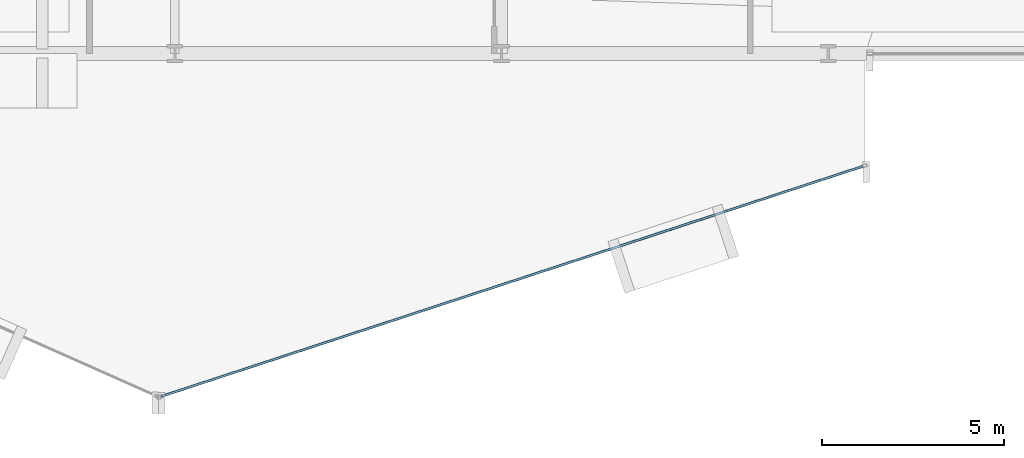
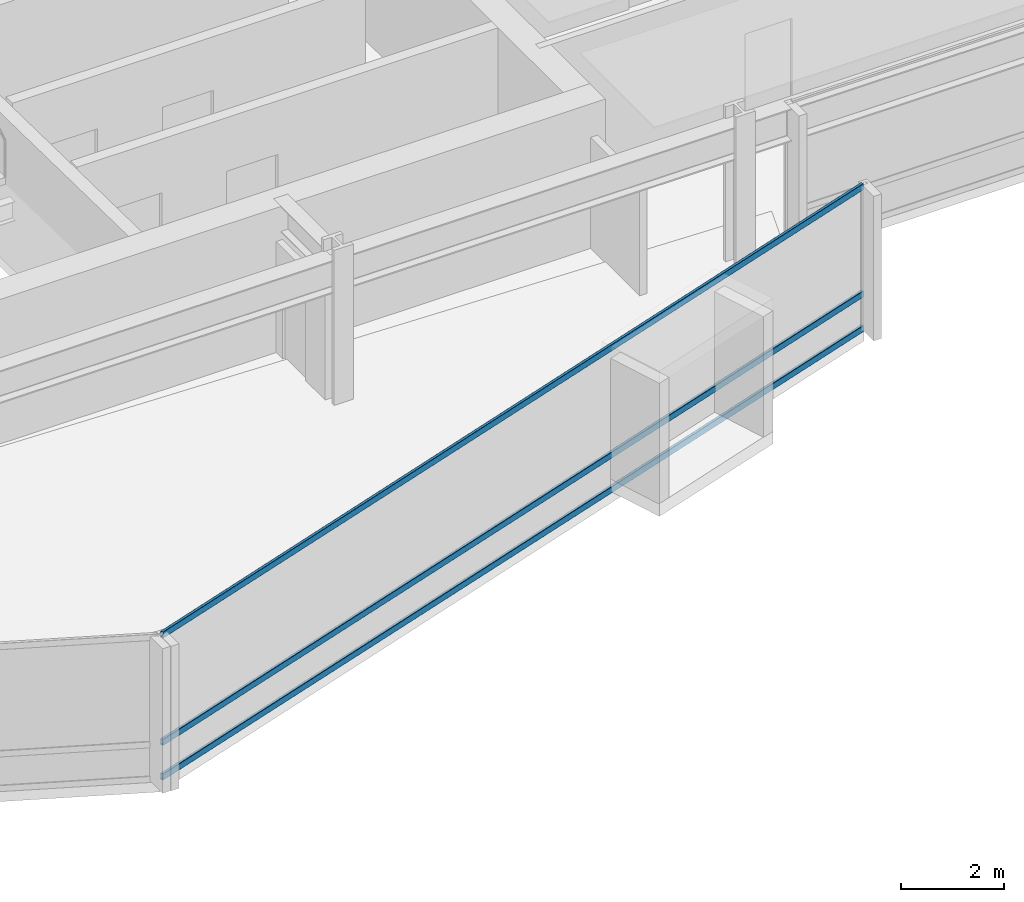
# One storey, part 9 of 34: 3 members, 1 element without a shape of its own.
"""IFC4 building model written with IfcOpenShell, lengths in metres."""

from ifc_helpers import new_model, si_unit, direction, frame, origin, origin_2d, place, context, subcontext, project, spatial, hollow_rectangle, extrude, material, layer, layer_set, material_profile, profile_set, type_object, element, aggregate, save


model = new_model("IFC4")

# Units and contexts
model_context = context("Model", 3, precision=1e-05, world=origin(), true_north=direction((0.0, 1.0)))
body_context = subcontext(model_context, "Body", "Model", "MODEL_VIEW")
ifc_project = project(units=[si_unit("LENGTHUNIT", "METRE"), si_unit("AREAUNIT", "SQUARE_METRE"), si_unit("VOLUMEUNIT", "CUBIC_METRE"), si_unit("PLANEANGLEUNIT", "RADIAN"), si_unit("MASSUNIT", "GRAM", prefix="KILO")], contexts=[model_context])

# Site, building, storey
site_placement = place(None, origin())
site = spatial("IfcSite", under=ifc_project, at=site_placement, CompositionType="ELEMENT")
building_placement = place(site_placement, origin())
building = spatial("IfcBuilding", under=site, at=building_placement, Name="Solvaryn Broadcast Tower", CompositionType="ELEMENT")
storey_placement = place(building_placement, frame((0.0, 0.0, 47.10009765625)))
storey = spatial("IfcBuildingStorey", under=building, at=storey_placement, Name="L10", CompositionType="ELEMENT", Elevation=47.10009765625)

# Curtain wall, members
ifc_material_1 = material(Name="Aluminium and Terracotta Unitised Curtain Wall", Category="masonry")
ifc_layer = layer(ifc_material_1, 0.199951171875)
ifc_layer_set = layer_set([ifc_layer], Name="CW-SYS2-LOWMID")
curtain_wall_type = type_object("IfcCurtainWallType", Name="CW-SYS2-LOWMID", PredefinedType="NOTDEFINED", material=ifc_layer_set)
curtain_wall_placement = place(storey_placement, origin())
curtain_wall = element("IfcCurtainWall", 1, at=curtain_wall_placement, inside=storey, type_object=curtain_wall_type, Name="L10 Curtain Wall DR4", PredefinedType="NOTDEFINED")
ifc_material_2 = material(Name="Anodised Aluminium 6063-T6", Category="aluminium")
ifc_material_profile = material_profile(ifc_material_2, hollow_rectangle(XDim=0.06494140625, YDim=0.14990234375, WallThickness=0.00390625, InnerFilletRadius=0.00390625, OuterFilletRadius=0.008056640625, at=origin_2d()))
ifc_profile_set = profile_set([ifc_material_profile], Name="Anodised Aluminium 6063-T6")
member_type = type_object("IfcMemberType", Name="CW-TRN-150", PredefinedType="USERDEFINED", material=ifc_profile_set)
member_1_placement = place(storey_placement, frame((26.616943359375, -0.4453125, 0.02978515625), z_axis=(0.950216792475, 0.311589549406, 0.0), x_axis=(-0.311589549406, 0.950216792475, 0.0)))
member_1 = element("IfcMember", 2, at=member_1_placement, type_object=member_type, Name="CWS2 transom 1.1", ObjectType="TRANSOM", PredefinedType="USERDEFINED", context=body_context, shape_type="SweptSolid", body=[
    extrude(hollow_rectangle(XDim=0.06494140625, YDim=0.14990234375, WallThickness=0.00390625, InnerFilletRadius=0.00390625, OuterFilletRadius=0.008056640625, at=origin_2d()), origin(), (0.0, 0.0, 1.0), 20.35546875),
])
member_2_placement = place(storey_placement, frame((26.616943359375, -0.4453125, 0.849853515625), z_axis=(0.950216792475, 0.311589549406, 0.0), x_axis=(-0.311589549406, 0.950216792475, 0.0)))
member_2 = element("IfcMember", 3, at=member_2_placement, type_object=member_type, Name="CWS2 transom 1.2", ObjectType="TRANSOM", PredefinedType="USERDEFINED", context=body_context, shape_type="SweptSolid", body=[
    extrude(hollow_rectangle(XDim=0.06494140625, YDim=0.14990234375, WallThickness=0.00390625, InnerFilletRadius=0.00390625, OuterFilletRadius=0.008056640625, at=origin_2d()), origin(), (0.0, 0.0, 1.0), 20.35546875),
])
member_3_placement = place(storey_placement, frame((26.616943359375, -0.4453125, 3.389892578125), z_axis=(0.950216792475, 0.311589549406, 0.0), x_axis=(-0.311589549406, 0.950216792475, 0.0)))
member_3 = element("IfcMember", 4, at=member_3_placement, type_object=member_type, Name="CWS2 transom 1.3", ObjectType="TRANSOM", PredefinedType="USERDEFINED", context=body_context, shape_type="SweptSolid", body=[
    extrude(hollow_rectangle(XDim=0.06494140625, YDim=0.14990234375, WallThickness=0.00390625, InnerFilletRadius=0.00390625, OuterFilletRadius=0.008056640625, at=origin_2d()), origin(), (0.0, 0.0, 1.0), 20.35546875),
])
aggregate(curtain_wall, [member_1, member_2, member_3])

save(model, "model.ifc")
